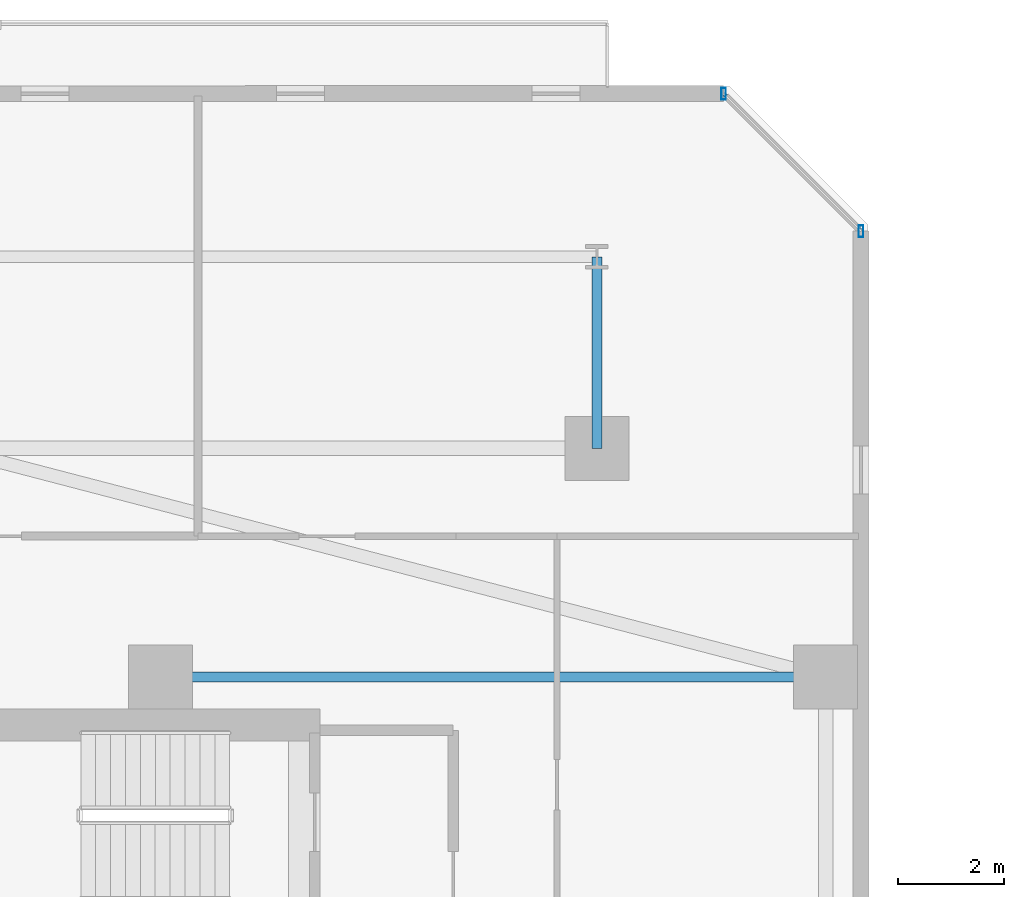
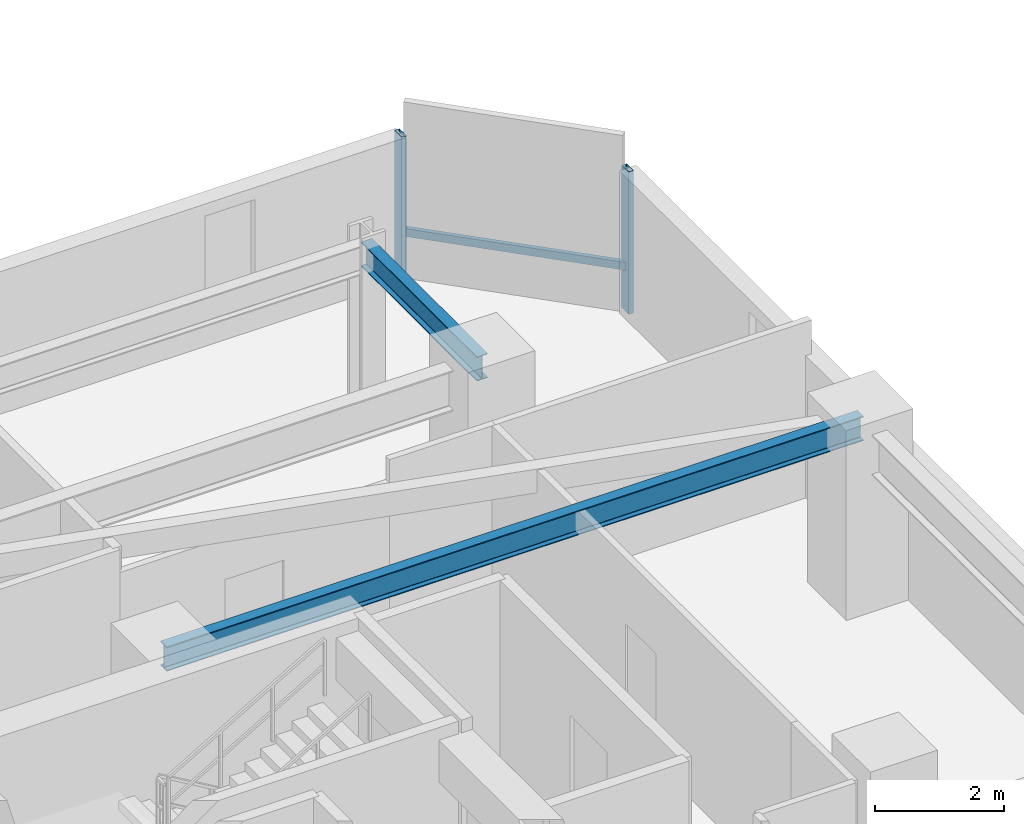
# One storey, part 10 of 33: 3 members, 2 beams, 1 element without a shape of its own.
"""IFC4 building model written with IfcOpenShell, lengths in metres."""

from ifc_helpers import new_model, si_unit, direction, frame, origin, origin_2d, place, context, subcontext, project, spatial, hollow_rectangle, i_section, extrude, material, material_profile, profile_set, type_object, element, aggregate, save


model = new_model("IFC4")

# Units and contexts
model_context = context("Model", 3, precision=1e-05, world=origin(), true_north=direction((0.0, 1.0)))
body_context = subcontext(model_context, "Body", "Model", "MODEL_VIEW")
ifc_project = project(units=[si_unit("LENGTHUNIT", "METRE"), si_unit("AREAUNIT", "SQUARE_METRE"), si_unit("VOLUMEUNIT", "CUBIC_METRE"), si_unit("PLANEANGLEUNIT", "RADIAN"), si_unit("MASSUNIT", "GRAM", prefix="KILO")], contexts=[model_context])

# Site, building, storey
site_placement = place(None, origin())
site = spatial("IfcSite", under=ifc_project, at=site_placement, CompositionType="ELEMENT")
building_placement = place(site_placement, origin())
building = spatial("IfcBuilding", under=site, at=building_placement, Name="Thornwick Lancets Civic Towers", CompositionType="ELEMENT")
storey_placement = place(building_placement, frame((0.0, 0.0, 112.5)))
storey = spatial("IfcBuildingStorey", under=building, at=storey_placement, Name="L29", CompositionType="ELEMENT", Elevation=112.5)

# Beams
ifc_material_1 = material(Name="Steel S355JR", Category="steel")
ifc_material_profile_1 = material_profile(ifc_material_1, i_section(OverallWidth=0.19189453125, OverallDepth=0.46337890625, WebThickness=0.010498046875, FlangeThickness=0.017578125, FilletRadius=0.01025390625, at=origin_2d()), Name="UKB 457x191x89")
ifc_profile_set_1 = profile_set([ifc_material_profile_1], Name="Steel S355JR")
beam_type = type_object("IfcBeamType", Name="BM_JOIST_457_89", PredefinedType="JOIST", material=ifc_profile_set_1)
beam_1_placement = place(storey_placement, frame((30.300048828125, 40.0, 3.12841796875), z_axis=(1.0, 0.0, 0.0), x_axis=(0.0, 1.0, 0.0)))
element("IfcBeam", 1, at=beam_1_placement, inside=storey, type_object=beam_type, Name="BM-RADIN-L29-A06", PredefinedType="JOIST", context=body_context, shape_type="SweptSolid", body=[
    extrude(i_section(OverallWidth=0.19189453125, OverallDepth=0.46337890625, WebThickness=0.010498046875, FlangeThickness=0.017578125, FilletRadius=0.01025390625, at=origin_2d()), origin(), (0.0, 0.0, 1.0), 12.5),
])
beam_2_placement = place(storey_placement, frame((38.5, 44.300048828125, 3.12841796875), z_axis=(0.0, 1.0, 0.0), x_axis=(-1.0, 0.0, 0.0)))
element("IfcBeam", 2, at=beam_2_placement, inside=storey, type_object=beam_type, Name="BM-RAD-L29-A09", PredefinedType="JOIST", context=body_context, shape_type="SweptSolid", body=[
    extrude(i_section(OverallWidth=0.19189453125, OverallDepth=0.46337890625, WebThickness=0.010498046875, FlangeThickness=0.017578125, FilletRadius=0.01025390625, at=origin_2d()), origin(), (0.0, 0.0, 1.0), 3.599853515625),
])

# Curtain wall, members
ifc_material_2 = material(Name="Low-zone chamfered-corner unitised glass curtain wall", Category="glass")
curtain_wall_type = type_object("IfcCurtainWallType", Name="CW_SYS_03", PredefinedType="NOTDEFINED", material=ifc_material_2)
curtain_wall_placement = place(storey_placement, origin())
curtain_wall = element("IfcCurtainWall", 3, at=curtain_wall_placement, inside=storey, type_object=curtain_wall_type, Name="L29 Curtain Wall CW-L29-A-E3", PredefinedType="NOTDEFINED")
ifc_material_3 = material(Name="Thermally broken bronze aluminium S355", Category="steel")
ifc_material_profile_2 = material_profile(ifc_material_3, hollow_rectangle(XDim=0.090087890625, YDim=0.219970703125, WallThickness=0.00634765625, at=origin_2d()), Name="RHS 220x90x6.3")
ifc_profile_set_2 = profile_set([ifc_material_profile_2], Name="Thermally broken bronze aluminium S355")
member_type_1 = type_object("IfcMemberType", Name="CW_MUL_220", PredefinedType="MULLION", material=ifc_profile_set_2)
member_1_placement = place(storey_placement, frame((43.464599609375, 48.38134765625, 0.0), z_axis=(0.0, 0.0, 1.0), x_axis=(1.0, 0.0, 0.0)))
member_1 = element("IfcMember", 4, at=member_1_placement, type_object=member_type_1, Name="CW-L29-A-E3 Mullion 0", PredefinedType="MULLION", context=body_context, shape_type="SweptSolid", body=[
    extrude(hollow_rectangle(XDim=0.090087890625, YDim=0.219970703125, WallThickness=0.00634765625, at=origin_2d()), origin(), (0.0, 0.0, 1.0), 2.699951171875),
])
member_2_placement = place(storey_placement, frame((40.88134765625, 50.964599609375, 0.0), z_axis=(0.0, 0.0, 1.0), x_axis=(1.0, 0.0, 0.0)))
member_2 = element("IfcMember", 5, at=member_2_placement, type_object=member_type_1, Name="CW-L29-A-E3 Mullion 1", PredefinedType="MULLION", context=body_context, shape_type="SweptSolid", body=[
    extrude(hollow_rectangle(XDim=0.090087890625, YDim=0.219970703125, WallThickness=0.00634765625, at=origin_2d()), origin(), (0.0, 0.0, 1.0), 2.699951171875),
])
ifc_material_profile_3 = material_profile(ifc_material_3, hollow_rectangle(XDim=0.074951171875, YDim=0.14990234375, WallThickness=0.0048828125, at=origin_2d()), Name="RHS 150x75x5")
ifc_profile_set_3 = profile_set([ifc_material_profile_3], Name="Thermally broken bronze aluminium S355")
member_type_2 = type_object("IfcMemberType", Name="CW_TRN_150", PredefinedType="USERDEFINED", material=ifc_profile_set_3)
member_3_placement = place(storey_placement, frame((43.45068359375, 48.3955078125, 0.85009765625), z_axis=(-0.707106781187, 0.707106781187, 0.0), x_axis=(-0.707106781187, -0.707106781187, 0.0)))
member_3 = element("IfcMember", 6, at=member_3_placement, type_object=member_type_2, Name="CW-L29-A-E3 Transom 0", ObjectType="TRANSOM", PredefinedType="USERDEFINED", context=body_context, shape_type="SweptSolid", body=[
    extrude(hollow_rectangle(XDim=0.074951171875, YDim=0.14990234375, WallThickness=0.0048828125, at=origin_2d()), origin(), (0.0, 0.0, 1.0), 3.613525390625),
])
aggregate(curtain_wall, [member_1, member_2, member_3])

save(model, "model.ifc")
